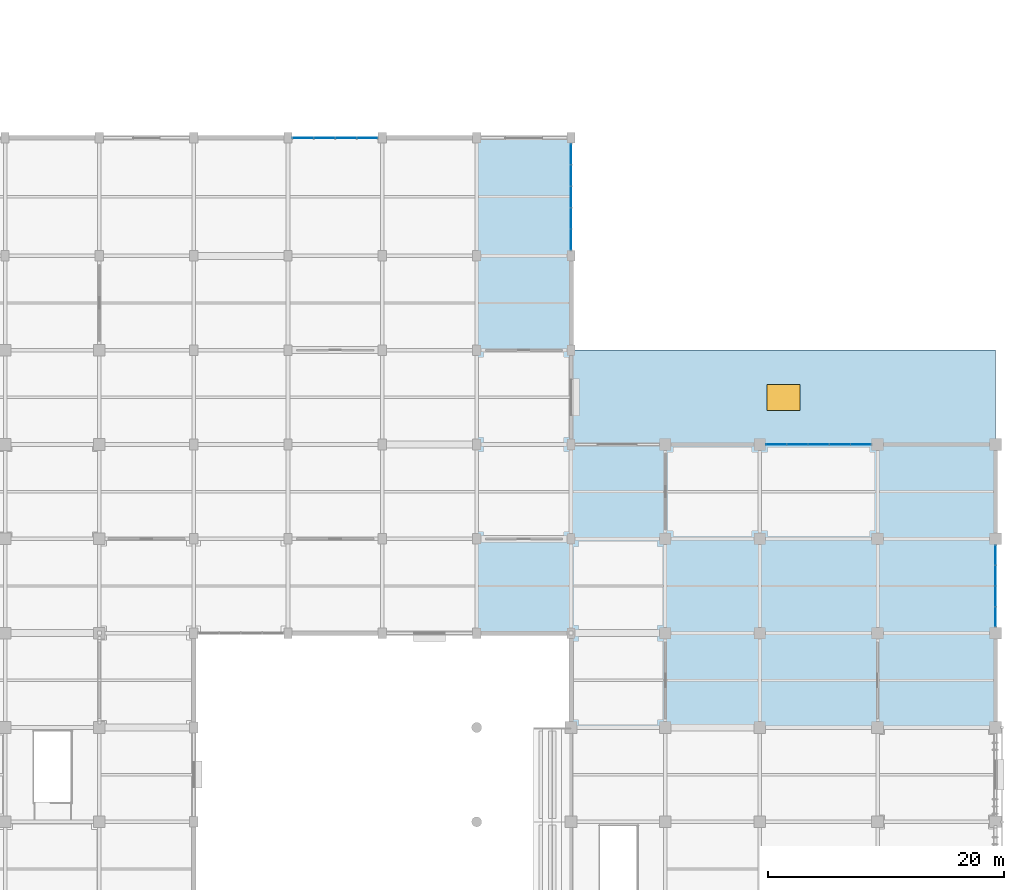
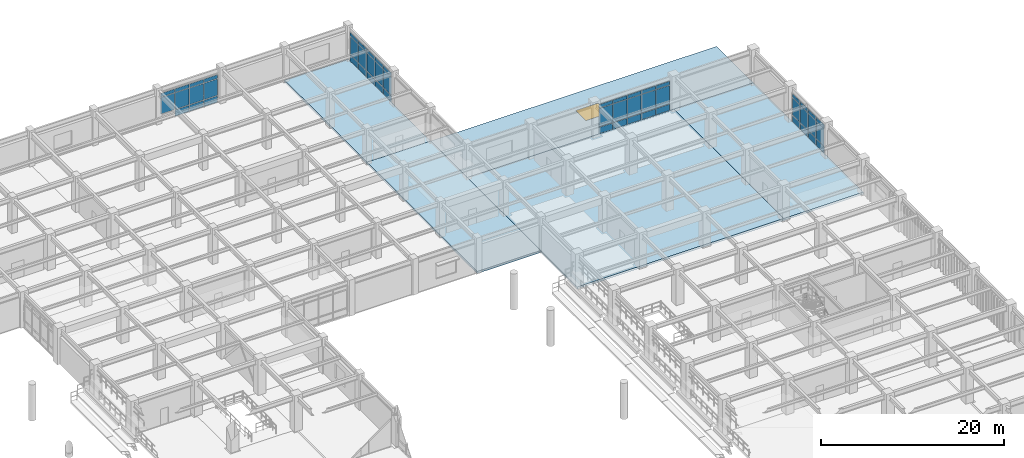
# One storey, part 69 of 117: 53 plates, 5 slabs, 1 window, 1 opening, 4 elements without a shape of their own.
"""IFC4 building model written with IfcOpenShell, lengths in metres."""

from ifc_helpers import new_model, si_unit, direction, frame, origin, origin_2d, place, context, subcontext, project, spatial, polyline, rectangle, outline, extrude, material, layer, layer_set, type_object, element, fill, aggregate, save


model = new_model("IFC4")

# Units and contexts
model_context = context("Model", 3, precision=1e-05, world=origin(), true_north=direction((0.0, 1.0)))
body_context = subcontext(model_context, "Body", "Model", "MODEL_VIEW")
ifc_project = project(units=[si_unit("LENGTHUNIT", "METRE"), si_unit("AREAUNIT", "SQUARE_METRE"), si_unit("VOLUMEUNIT", "CUBIC_METRE"), si_unit("PLANEANGLEUNIT", "RADIAN"), si_unit("MASSUNIT", "GRAM", prefix="KILO")], contexts=[model_context])

# Site, building, storey
site_placement = place(None, origin())
site = spatial("IfcSite", under=ifc_project, at=site_placement, CompositionType="ELEMENT")
building_placement = place(site_placement, origin())
building = spatial("IfcBuilding", under=site, at=building_placement, Name="Haebicheon Civic Stadium", CompositionType="ELEMENT")
storey_placement = place(building_placement, frame((0.0, 0.0, 4.800048828125)))
storey = spatial("IfcBuildingStorey", under=building, at=storey_placement, Name="L02", CompositionType="ELEMENT", Elevation=4.800048828125)

# Curtain wall, plates
ifc_material_1 = material(Name="Anodised aluminium and laminated glass", Category="aluminium")
ifc_layer_1 = layer(ifc_material_1, 0.179931640625, Name="Anodised aluminium and laminated glass")
ifc_layer_set_1 = layer_set([ifc_layer_1], Name="Anodised aluminium and laminated glass")
curtain_wall_type_1 = type_object("IfcCurtainWallType", Name="CW-7300x3710", PredefinedType="NOTDEFINED", material=ifc_layer_set_1)
curtain_wall_1_placement = place(storey_placement, origin())
curtain_wall_1 = element("IfcCurtainWall", 1, at=curtain_wall_1_placement, inside=storey, type_object=curtain_wall_type_1, material=ifc_layer_set_1, Name="L02 unitised curtain wall 059", PredefinedType="NOTDEFINED")
ifc_material_2 = material(Name="Double low-e laminated glass", Category="glass")
ifc_layer_2 = layer(ifc_material_2, 0.028076171875, Name="Double low-e laminated glass")
ifc_layer_set_2 = layer_set([ifc_layer_2], Name="Double low-e laminated glass")
plate_type_1 = type_object("IfcPlateType", Name="CWP-GLZ-28", PredefinedType="CURTAIN_PANEL", material=ifc_layer_set_2)
plate_1_placement = place(storey_placement, frame((177.280029296875, 178.0, 0.93505859375), z_axis=(0.0, 0.0, 1.0), x_axis=(1.0, 0.0, 0.0)))
plate_1 = element("IfcPlate", 2, at=plate_1_placement, type_object=plate_type_1, material=ifc_layer_set_2, Name="CW-L02-059 vision panel 1.2", PredefinedType="CURTAIN_PANEL", context=body_context, shape_type="SweptSolid", body=[
    extrude(rectangle(XDim=1.719970703125, YDim=0.028076171875, at=origin_2d()), origin(), (0.0, 0.0, 1.0), 2.18994140625),
])
plate_2_placement = place(storey_placement, frame((179.087890625, 178.0, 0.93505859375), z_axis=(0.0, 0.0, 1.0), x_axis=(1.0, 0.0, 0.0)))
plate_2 = element("IfcPlate", 3, at=plate_2_placement, type_object=plate_type_1, material=ifc_layer_set_2, Name="CW-L02-059 vision panel 2.2", PredefinedType="CURTAIN_PANEL", context=body_context, shape_type="SweptSolid", body=[
    extrude(rectangle(XDim=1.7548828125, YDim=0.028076171875, at=origin_2d()), origin(), (0.0, 0.0, 1.0), 2.18994140625),
])
plate_3_placement = place(storey_placement, frame((180.912109375, 178.0, 0.93505859375), z_axis=(0.0, 0.0, 1.0), x_axis=(1.0, 0.0, 0.0)))
plate_3 = element("IfcPlate", 4, at=plate_3_placement, type_object=plate_type_1, material=ifc_layer_set_2, Name="CW-L02-059 vision panel 3.2", PredefinedType="CURTAIN_PANEL", context=body_context, shape_type="SweptSolid", body=[
    extrude(rectangle(XDim=1.7548828125, YDim=0.028076171875, at=origin_2d()), origin(), (0.0, 0.0, 1.0), 2.18994140625),
])
plate_4_placement = place(storey_placement, frame((182.719970703125, 178.0, 0.93505859375), z_axis=(0.0, 0.0, 1.0), x_axis=(1.0, 0.0, 0.0)))
plate_4 = element("IfcPlate", 5, at=plate_4_placement, type_object=plate_type_1, material=ifc_layer_set_2, Name="CW-L02-059 vision panel 4.2", PredefinedType="CURTAIN_PANEL", context=body_context, shape_type="SweptSolid", body=[
    extrude(rectangle(XDim=1.719970703125, YDim=0.028076171875, at=origin_2d()), origin(), (0.0, 0.0, 1.0), 2.18994140625),
])

ifc_material_3 = material(Name="Anodised aluminium and laminated glass", Category="aluminium")
ifc_layer_3 = layer(ifc_material_3, 0.179931640625, Name="Anodised aluminium and laminated glass")
ifc_layer_set_3 = layer_set([ifc_layer_3], Name="Anodised aluminium and laminated glass")
curtain_wall_type_2 = type_object("IfcCurtainWallType", Name="CW-9100x3910", PredefinedType="NOTDEFINED", material=ifc_layer_set_3)
curtain_wall_2_placement = place(storey_placement, origin())
curtain_wall_2 = element("IfcCurtainWall", 6, at=curtain_wall_2_placement, inside=storey, type_object=curtain_wall_type_2, material=ifc_layer_set_3, Name="L02 unitised curtain wall 062", PredefinedType="NOTDEFINED")
plate_5_placement = place(storey_placement, frame((200.0, 169.3779296875, 0.93505859375), z_axis=(0.0, 0.0, 1.0), x_axis=(0.0, 1.0, 0.0)))
plate_5 = element("IfcPlate", 7, at=plate_5_placement, type_object=plate_type_1, material=ifc_layer_set_2, Name="CW-L02-062 vision panel 1.2", PredefinedType="CURTAIN_PANEL", context=body_context, shape_type="SweptSolid", body=[
    extrude(rectangle(XDim=1.715087890625, YDim=0.028076171875, at=origin_2d()), origin(), (0.0, 0.0, 1.0), 2.389892578125),
])
plate_6_placement = place(storey_placement, frame((200.0, 171.179931640625, 0.93505859375), z_axis=(0.0, 0.0, 1.0), x_axis=(0.0, 1.0, 0.0)))
plate_6 = element("IfcPlate", 8, at=plate_6_placement, type_object=plate_type_1, material=ifc_layer_set_2, Name="CW-L02-062 vision panel 2.2", PredefinedType="CURTAIN_PANEL", context=body_context, shape_type="SweptSolid", body=[
    extrude(rectangle(XDim=1.75, YDim=0.028076171875, at=origin_2d()), origin(), (0.0, 0.0, 1.0), 2.389892578125),
])
plate_7_placement = place(storey_placement, frame((200.0, 173.0, 0.93505859375), z_axis=(0.0, 0.0, 1.0), x_axis=(0.0, 1.0, 0.0)))
plate_7 = element("IfcPlate", 9, at=plate_7_placement, type_object=plate_type_1, material=ifc_layer_set_2, Name="CW-L02-062 vision panel 3.2", PredefinedType="CURTAIN_PANEL", context=body_context, shape_type="SweptSolid", body=[
    extrude(rectangle(XDim=1.75, YDim=0.028076171875, at=origin_2d()), origin(), (0.0, 0.0, 1.0), 2.389892578125),
])
plate_8_placement = place(storey_placement, frame((200.0, 174.820068359375, 0.93505859375), z_axis=(0.0, 0.0, 1.0), x_axis=(0.0, 1.0, 0.0)))
plate_8 = element("IfcPlate", 10, at=plate_8_placement, type_object=plate_type_1, material=ifc_layer_set_2, Name="CW-L02-062 vision panel 4.2", PredefinedType="CURTAIN_PANEL", context=body_context, shape_type="SweptSolid", body=[
    extrude(rectangle(XDim=1.75, YDim=0.028076171875, at=origin_2d()), origin(), (0.0, 0.0, 1.0), 2.389892578125),
])
plate_9_placement = place(storey_placement, frame((200.0, 176.6220703125, 0.93505859375), z_axis=(0.0, 0.0, 1.0), x_axis=(0.0, 1.0, 0.0)))
plate_9 = element("IfcPlate", 11, at=plate_9_placement, type_object=plate_type_1, material=ifc_layer_set_2, Name="CW-L02-062 vision panel 5.2", PredefinedType="CURTAIN_PANEL", context=body_context, shape_type="SweptSolid", body=[
    extrude(rectangle(XDim=1.715087890625, YDim=0.028076171875, at=origin_2d()), origin(), (0.0, 0.0, 1.0), 2.389892578125),
])

ifc_material_4 = material(Name="Anodised aluminium and laminated glass", Category="aluminium")
ifc_layer_4 = layer(ifc_material_4, 0.179931640625, Name="Anodised aluminium and laminated glass")
ifc_layer_set_4 = layer_set([ifc_layer_4], Name="Anodised aluminium and laminated glass")
curtain_wall_type_3 = type_object("IfcCurtainWallType", Name="CW-9000x3950", PredefinedType="NOTDEFINED", material=ifc_layer_set_4)
curtain_wall_3_placement = place(storey_placement, origin())
curtain_wall_3 = element("IfcCurtainWall", 12, at=curtain_wall_3_placement, inside=storey, type_object=curtain_wall_type_3, material=ifc_layer_set_4, Name="L02 unitised curtain wall 063", PredefinedType="NOTDEFINED")
plate_10_placement = place(storey_placement, frame((217.41796875, 152.0, 0.93505859375), z_axis=(0.0, 0.0, 1.0), x_axis=(1.0, 0.0, 0.0)))
plate_10 = element("IfcPlate", 13, at=plate_10_placement, type_object=plate_type_1, material=ifc_layer_set_2, Name="CW-L02-063 vision panel 1.2", PredefinedType="CURTAIN_PANEL", context=body_context, shape_type="SweptSolid", body=[
    extrude(rectangle(XDim=1.695068359375, YDim=0.028076171875, at=origin_2d()), origin(), (0.0, 0.0, 1.0), 2.429931640625),
])
plate_11_placement = place(storey_placement, frame((219.199951171875, 152.0, 0.93505859375), z_axis=(0.0, 0.0, 1.0), x_axis=(1.0, 0.0, 0.0)))
plate_11 = element("IfcPlate", 14, at=plate_11_placement, type_object=plate_type_1, material=ifc_layer_set_2, Name="CW-L02-063 vision panel 2.2", PredefinedType="CURTAIN_PANEL", context=body_context, shape_type="SweptSolid", body=[
    extrude(rectangle(XDim=1.72998046875, YDim=0.028076171875, at=origin_2d()), origin(), (0.0, 0.0, 1.0), 2.429931640625),
])
plate_12_placement = place(storey_placement, frame((221.0, 152.0, 0.93505859375), z_axis=(0.0, 0.0, 1.0), x_axis=(1.0, 0.0, 0.0)))
plate_12 = element("IfcPlate", 15, at=plate_12_placement, type_object=plate_type_1, material=ifc_layer_set_2, Name="CW-L02-063 vision panel 3.2", PredefinedType="CURTAIN_PANEL", context=body_context, shape_type="SweptSolid", body=[
    extrude(rectangle(XDim=1.72998046875, YDim=0.028076171875, at=origin_2d()), origin(), (0.0, 0.0, 1.0), 2.429931640625),
])
plate_13_placement = place(storey_placement, frame((222.800048828125, 152.0, 0.93505859375), z_axis=(0.0, 0.0, 1.0), x_axis=(1.0, 0.0, 0.0)))
plate_13 = element("IfcPlate", 16, at=plate_13_placement, type_object=plate_type_1, material=ifc_layer_set_2, Name="CW-L02-063 vision panel 4.2", PredefinedType="CURTAIN_PANEL", context=body_context, shape_type="SweptSolid", body=[
    extrude(rectangle(XDim=1.72998046875, YDim=0.028076171875, at=origin_2d()), origin(), (0.0, 0.0, 1.0), 2.429931640625),
])
plate_14_placement = place(storey_placement, frame((224.58203125, 152.0, 0.93505859375), z_axis=(0.0, 0.0, 1.0), x_axis=(1.0, 0.0, 0.0)))
plate_14 = element("IfcPlate", 17, at=plate_14_placement, type_object=plate_type_1, material=ifc_layer_set_2, Name="CW-L02-063 vision panel 5.2", PredefinedType="CURTAIN_PANEL", context=body_context, shape_type="SweptSolid", body=[
    extrude(rectangle(XDim=1.695068359375, YDim=0.028076171875, at=origin_2d()), origin(), (0.0, 0.0, 1.0), 2.429931640625),
])

ifc_material_5 = material(Name="Anodised aluminium and laminated glass", Category="aluminium")
ifc_layer_5 = layer(ifc_material_5, 0.179931640625, Name="Anodised aluminium and laminated glass")
ifc_layer_set_5 = layer_set([ifc_layer_5], Name="Anodised aluminium and laminated glass")
curtain_wall_type_4 = type_object("IfcCurtainWallType", Name="CW-7000x3810", PredefinedType="NOTDEFINED", material=ifc_layer_set_5)
curtain_wall_4_placement = place(storey_placement, origin())
curtain_wall_4 = element("IfcCurtainWall", 18, at=curtain_wall_4_placement, inside=storey, type_object=curtain_wall_type_4, material=ifc_layer_set_5, Name="L02 unitised curtain wall 068", PredefinedType="NOTDEFINED")
plate_15_placement = place(storey_placement, frame((236.0, 137.39208984375, 0.934814453125), z_axis=(0.0, 0.0, 1.0), x_axis=(0.0, 1.0, 0.0)))
plate_15 = element("IfcPlate", 19, at=plate_15_placement, type_object=plate_type_1, material=ifc_layer_set_2, Name="CW-L02-068 vision panel 1.2", PredefinedType="CURTAIN_PANEL", context=body_context, shape_type="SweptSolid", body=[
    extrude(rectangle(XDim=1.64501953125, YDim=0.028076171875, at=origin_2d()), origin(), (0.0, 0.0, 1.0), 2.2900390625),
])
plate_16_placement = place(storey_placement, frame((236.0, 139.125, 0.934814453125), z_axis=(0.0, 0.0, 1.0), x_axis=(0.0, 1.0, 0.0)))
plate_16 = element("IfcPlate", 20, at=plate_16_placement, type_object=plate_type_1, material=ifc_layer_set_2, Name="CW-L02-068 vision panel 2.2", PredefinedType="CURTAIN_PANEL", context=body_context, shape_type="SweptSolid", body=[
    extrude(rectangle(XDim=1.679931640625, YDim=0.028076171875, at=origin_2d()), origin(), (0.0, 0.0, 1.0), 2.2900390625),
])
plate_17_placement = place(storey_placement, frame((236.0, 140.875, 0.934814453125), z_axis=(0.0, 0.0, 1.0), x_axis=(0.0, 1.0, 0.0)))
plate_17 = element("IfcPlate", 21, at=plate_17_placement, type_object=plate_type_1, material=ifc_layer_set_2, Name="CW-L02-068 vision panel 3.2", PredefinedType="CURTAIN_PANEL", context=body_context, shape_type="SweptSolid", body=[
    extrude(rectangle(XDim=1.679931640625, YDim=0.028076171875, at=origin_2d()), origin(), (0.0, 0.0, 1.0), 2.2900390625),
])
plate_18_placement = place(storey_placement, frame((236.0, 142.60791015625, 0.934814453125), z_axis=(0.0, 0.0, 1.0), x_axis=(0.0, 1.0, 0.0)))
plate_18 = element("IfcPlate", 22, at=plate_18_placement, type_object=plate_type_1, material=ifc_layer_set_2, Name="CW-L02-068 vision panel 4.2", PredefinedType="CURTAIN_PANEL", context=body_context, shape_type="SweptSolid", body=[
    extrude(rectangle(XDim=1.64501953125, YDim=0.028076171875, at=origin_2d()), origin(), (0.0, 0.0, 1.0), 2.2900390625),
])

# Plate
ifc_material_6 = material(Name="Anodised aluminium 6063-T6", Category="aluminium")
ifc_layer_6 = layer(ifc_material_6, 0.053955078125, Name="Anodised aluminium 6063-T6")
ifc_layer_set_6 = layer_set([ifc_layer_6], Name="Anodised aluminium 6063-T6")
plate_type_2 = type_object("IfcPlateType", Name="CWP-SPD-54", PredefinedType="CURTAIN_PANEL", material=ifc_layer_set_6)
plate_19_placement = place(storey_placement, frame((177.280029296875, 178.0, 3.195068359375), z_axis=(0.0, 0.0, 1.0), x_axis=(1.0, 0.0, 0.0)))
plate_19 = element("IfcPlate", 23, at=plate_19_placement, type_object=plate_type_2, material=ifc_layer_set_6, Name="CW-L02-059 spandrel panel 1.3", PredefinedType="CURTAIN_PANEL", context=body_context, shape_type="SweptSolid", body=[
    extrude(rectangle(XDim=1.719970703125, YDim=0.053955078125, at=origin_2d()), origin(), (0.0, 0.0, 1.0), 0.47998046875),
])

plate_20_placement = place(storey_placement, frame((179.087890625, 178.0, 0.034912109375), z_axis=(0.0, 0.0, 1.0), x_axis=(1.0, 0.0, 0.0)))
plate_20 = element("IfcPlate", 24, at=plate_20_placement, type_object=plate_type_2, material=ifc_layer_set_6, Name="CW-L02-059 spandrel panel 2.1", PredefinedType="CURTAIN_PANEL", context=body_context, shape_type="SweptSolid", body=[
    extrude(rectangle(XDim=1.7548828125, YDim=0.053955078125, at=origin_2d()), origin(), (0.0, 0.0, 1.0), 0.830078125),
])

plate_21_placement = place(storey_placement, frame((179.087890625, 178.0, 3.195068359375), z_axis=(0.0, 0.0, 1.0), x_axis=(1.0, 0.0, 0.0)))
plate_21 = element("IfcPlate", 25, at=plate_21_placement, type_object=plate_type_2, material=ifc_layer_set_6, Name="CW-L02-059 spandrel panel 2.3", PredefinedType="CURTAIN_PANEL", context=body_context, shape_type="SweptSolid", body=[
    extrude(rectangle(XDim=1.7548828125, YDim=0.053955078125, at=origin_2d()), origin(), (0.0, 0.0, 1.0), 0.47998046875),
])

plate_22_placement = place(storey_placement, frame((180.912109375, 178.0, 0.034912109375), z_axis=(0.0, 0.0, 1.0), x_axis=(1.0, 0.0, 0.0)))
plate_22 = element("IfcPlate", 26, at=plate_22_placement, type_object=plate_type_2, material=ifc_layer_set_6, Name="CW-L02-059 spandrel panel 3.1", PredefinedType="CURTAIN_PANEL", context=body_context, shape_type="SweptSolid", body=[
    extrude(rectangle(XDim=1.7548828125, YDim=0.053955078125, at=origin_2d()), origin(), (0.0, 0.0, 1.0), 0.830078125),
])

plate_23_placement = place(storey_placement, frame((180.912109375, 178.0, 3.195068359375), z_axis=(0.0, 0.0, 1.0), x_axis=(1.0, 0.0, 0.0)))
plate_23 = element("IfcPlate", 27, at=plate_23_placement, type_object=plate_type_2, material=ifc_layer_set_6, Name="CW-L02-059 spandrel panel 3.3", PredefinedType="CURTAIN_PANEL", context=body_context, shape_type="SweptSolid", body=[
    extrude(rectangle(XDim=1.7548828125, YDim=0.053955078125, at=origin_2d()), origin(), (0.0, 0.0, 1.0), 0.47998046875),
])

plate_24_placement = place(storey_placement, frame((182.719970703125, 178.0, 0.034912109375), z_axis=(0.0, 0.0, 1.0), x_axis=(1.0, 0.0, 0.0)))
plate_24 = element("IfcPlate", 28, at=plate_24_placement, type_object=plate_type_2, material=ifc_layer_set_6, Name="CW-L02-059 spandrel panel 4.1", PredefinedType="CURTAIN_PANEL", context=body_context, shape_type="SweptSolid", body=[
    extrude(rectangle(XDim=1.719970703125, YDim=0.053955078125, at=origin_2d()), origin(), (0.0, 0.0, 1.0), 0.830078125),
])

plate_25_placement = place(storey_placement, frame((182.719970703125, 178.0, 3.195068359375), z_axis=(0.0, 0.0, 1.0), x_axis=(1.0, 0.0, 0.0)))
plate_25 = element("IfcPlate", 29, at=plate_25_placement, type_object=plate_type_2, material=ifc_layer_set_6, Name="CW-L02-059 spandrel panel 4.3", PredefinedType="CURTAIN_PANEL", context=body_context, shape_type="SweptSolid", body=[
    extrude(rectangle(XDim=1.719970703125, YDim=0.053955078125, at=origin_2d()), origin(), (0.0, 0.0, 1.0), 0.47998046875),
])

aggregate(curtain_wall_1, [plate_1, plate_19, plate_20, plate_2, plate_21, plate_22, plate_3, plate_23, plate_24, plate_4, plate_25])

plate_26_placement = place(storey_placement, frame((200.0, 169.3779296875, 0.034912109375), z_axis=(0.0, 0.0, 1.0), x_axis=(0.0, 1.0, 0.0)))
plate_26 = element("IfcPlate", 30, at=plate_26_placement, type_object=plate_type_2, material=ifc_layer_set_6, Name="CW-L02-062 spandrel panel 1.1", PredefinedType="CURTAIN_PANEL", context=body_context, shape_type="SweptSolid", body=[
    extrude(rectangle(XDim=1.715087890625, YDim=0.053955078125, at=origin_2d()), origin(), (0.0, 0.0, 1.0), 0.830078125),
])

plate_27_placement = place(storey_placement, frame((200.0, 169.3779296875, 3.39501953125), z_axis=(0.0, 0.0, 1.0), x_axis=(0.0, 1.0, 0.0)))
plate_27 = element("IfcPlate", 31, at=plate_27_placement, type_object=plate_type_2, material=ifc_layer_set_6, Name="CW-L02-062 spandrel panel 1.3", PredefinedType="CURTAIN_PANEL", context=body_context, shape_type="SweptSolid", body=[
    extrude(rectangle(XDim=1.715087890625, YDim=0.053955078125, at=origin_2d()), origin(), (0.0, 0.0, 1.0), 0.47998046875),
])

plate_28_placement = place(storey_placement, frame((200.0, 171.179931640625, 0.034912109375), z_axis=(0.0, 0.0, 1.0), x_axis=(0.0, 1.0, 0.0)))
plate_28 = element("IfcPlate", 32, at=plate_28_placement, type_object=plate_type_2, material=ifc_layer_set_6, Name="CW-L02-062 spandrel panel 2.1", PredefinedType="CURTAIN_PANEL", context=body_context, shape_type="SweptSolid", body=[
    extrude(rectangle(XDim=1.75, YDim=0.053955078125, at=origin_2d()), origin(), (0.0, 0.0, 1.0), 0.830078125),
])

plate_29_placement = place(storey_placement, frame((200.0, 171.179931640625, 3.39501953125), z_axis=(0.0, 0.0, 1.0), x_axis=(0.0, 1.0, 0.0)))
plate_29 = element("IfcPlate", 33, at=plate_29_placement, type_object=plate_type_2, material=ifc_layer_set_6, Name="CW-L02-062 spandrel panel 2.3", PredefinedType="CURTAIN_PANEL", context=body_context, shape_type="SweptSolid", body=[
    extrude(rectangle(XDim=1.75, YDim=0.053955078125, at=origin_2d()), origin(), (0.0, 0.0, 1.0), 0.47998046875),
])

plate_30_placement = place(storey_placement, frame((200.0, 173.0, 0.034912109375), z_axis=(0.0, 0.0, 1.0), x_axis=(0.0, 1.0, 0.0)))
plate_30 = element("IfcPlate", 34, at=plate_30_placement, type_object=plate_type_2, material=ifc_layer_set_6, Name="CW-L02-062 spandrel panel 3.1", PredefinedType="CURTAIN_PANEL", context=body_context, shape_type="SweptSolid", body=[
    extrude(rectangle(XDim=1.75, YDim=0.053955078125, at=origin_2d()), origin(), (0.0, 0.0, 1.0), 0.830078125),
])

plate_31_placement = place(storey_placement, frame((200.0, 173.0, 3.39501953125), z_axis=(0.0, 0.0, 1.0), x_axis=(0.0, 1.0, 0.0)))
plate_31 = element("IfcPlate", 35, at=plate_31_placement, type_object=plate_type_2, material=ifc_layer_set_6, Name="CW-L02-062 spandrel panel 3.3", PredefinedType="CURTAIN_PANEL", context=body_context, shape_type="SweptSolid", body=[
    extrude(rectangle(XDim=1.75, YDim=0.053955078125, at=origin_2d()), origin(), (0.0, 0.0, 1.0), 0.47998046875),
])

plate_32_placement = place(storey_placement, frame((200.0, 174.820068359375, 0.034912109375), z_axis=(0.0, 0.0, 1.0), x_axis=(0.0, 1.0, 0.0)))
plate_32 = element("IfcPlate", 36, at=plate_32_placement, type_object=plate_type_2, material=ifc_layer_set_6, Name="CW-L02-062 spandrel panel 4.1", PredefinedType="CURTAIN_PANEL", context=body_context, shape_type="SweptSolid", body=[
    extrude(rectangle(XDim=1.75, YDim=0.053955078125, at=origin_2d()), origin(), (0.0, 0.0, 1.0), 0.830078125),
])

plate_33_placement = place(storey_placement, frame((200.0, 174.820068359375, 3.39501953125), z_axis=(0.0, 0.0, 1.0), x_axis=(0.0, 1.0, 0.0)))
plate_33 = element("IfcPlate", 37, at=plate_33_placement, type_object=plate_type_2, material=ifc_layer_set_6, Name="CW-L02-062 spandrel panel 4.3", PredefinedType="CURTAIN_PANEL", context=body_context, shape_type="SweptSolid", body=[
    extrude(rectangle(XDim=1.75, YDim=0.053955078125, at=origin_2d()), origin(), (0.0, 0.0, 1.0), 0.47998046875),
])

plate_34_placement = place(storey_placement, frame((200.0, 176.6220703125, 0.034912109375), z_axis=(0.0, 0.0, 1.0), x_axis=(0.0, 1.0, 0.0)))
plate_34 = element("IfcPlate", 38, at=plate_34_placement, type_object=plate_type_2, material=ifc_layer_set_6, Name="CW-L02-062 spandrel panel 5.1", PredefinedType="CURTAIN_PANEL", context=body_context, shape_type="SweptSolid", body=[
    extrude(rectangle(XDim=1.715087890625, YDim=0.053955078125, at=origin_2d()), origin(), (0.0, 0.0, 1.0), 0.830078125),
])

plate_35_placement = place(storey_placement, frame((200.0, 176.6220703125, 3.39501953125), z_axis=(0.0, 0.0, 1.0), x_axis=(0.0, 1.0, 0.0)))
plate_35 = element("IfcPlate", 39, at=plate_35_placement, type_object=plate_type_2, material=ifc_layer_set_6, Name="CW-L02-062 spandrel panel 5.3", PredefinedType="CURTAIN_PANEL", context=body_context, shape_type="SweptSolid", body=[
    extrude(rectangle(XDim=1.715087890625, YDim=0.053955078125, at=origin_2d()), origin(), (0.0, 0.0, 1.0), 0.47998046875),
])

aggregate(curtain_wall_2, [plate_26, plate_5, plate_27, plate_28, plate_6, plate_29, plate_30, plate_7, plate_31, plate_32, plate_8, plate_33, plate_34, plate_9, plate_35])

plate_36_placement = place(storey_placement, frame((217.41796875, 152.0, 0.034912109375), z_axis=(0.0, 0.0, 1.0), x_axis=(1.0, 0.0, 0.0)))
plate_36 = element("IfcPlate", 40, at=plate_36_placement, type_object=plate_type_2, material=ifc_layer_set_6, Name="CW-L02-063 spandrel panel 1.1", PredefinedType="CURTAIN_PANEL", context=body_context, shape_type="SweptSolid", body=[
    extrude(rectangle(XDim=1.695068359375, YDim=0.053955078125, at=origin_2d()), origin(), (0.0, 0.0, 1.0), 0.830078125),
])

plate_37_placement = place(storey_placement, frame((217.41796875, 152.0, 3.43505859375), z_axis=(0.0, 0.0, 1.0), x_axis=(1.0, 0.0, 0.0)))
plate_37 = element("IfcPlate", 41, at=plate_37_placement, type_object=plate_type_2, material=ifc_layer_set_6, Name="CW-L02-063 spandrel panel 1.3", PredefinedType="CURTAIN_PANEL", context=body_context, shape_type="SweptSolid", body=[
    extrude(rectangle(XDim=1.695068359375, YDim=0.053955078125, at=origin_2d()), origin(), (0.0, 0.0, 1.0), 0.47998046875),
])

plate_38_placement = place(storey_placement, frame((219.199951171875, 152.0, 0.034912109375), z_axis=(0.0, 0.0, 1.0), x_axis=(1.0, 0.0, 0.0)))
plate_38 = element("IfcPlate", 42, at=plate_38_placement, type_object=plate_type_2, material=ifc_layer_set_6, Name="CW-L02-063 spandrel panel 2.1", PredefinedType="CURTAIN_PANEL", context=body_context, shape_type="SweptSolid", body=[
    extrude(rectangle(XDim=1.72998046875, YDim=0.053955078125, at=origin_2d()), origin(), (0.0, 0.0, 1.0), 0.830078125),
])

plate_39_placement = place(storey_placement, frame((219.199951171875, 152.0, 3.43505859375), z_axis=(0.0, 0.0, 1.0), x_axis=(1.0, 0.0, 0.0)))
plate_39 = element("IfcPlate", 43, at=plate_39_placement, type_object=plate_type_2, material=ifc_layer_set_6, Name="CW-L02-063 spandrel panel 2.3", PredefinedType="CURTAIN_PANEL", context=body_context, shape_type="SweptSolid", body=[
    extrude(rectangle(XDim=1.72998046875, YDim=0.053955078125, at=origin_2d()), origin(), (0.0, 0.0, 1.0), 0.47998046875),
])

plate_40_placement = place(storey_placement, frame((221.0, 152.0, 0.034912109375), z_axis=(0.0, 0.0, 1.0), x_axis=(1.0, 0.0, 0.0)))
plate_40 = element("IfcPlate", 44, at=plate_40_placement, type_object=plate_type_2, material=ifc_layer_set_6, Name="CW-L02-063 spandrel panel 3.1", PredefinedType="CURTAIN_PANEL", context=body_context, shape_type="SweptSolid", body=[
    extrude(rectangle(XDim=1.72998046875, YDim=0.053955078125, at=origin_2d()), origin(), (0.0, 0.0, 1.0), 0.830078125),
])

plate_41_placement = place(storey_placement, frame((221.0, 152.0, 3.43505859375), z_axis=(0.0, 0.0, 1.0), x_axis=(1.0, 0.0, 0.0)))
plate_41 = element("IfcPlate", 45, at=plate_41_placement, type_object=plate_type_2, material=ifc_layer_set_6, Name="CW-L02-063 spandrel panel 3.3", PredefinedType="CURTAIN_PANEL", context=body_context, shape_type="SweptSolid", body=[
    extrude(rectangle(XDim=1.72998046875, YDim=0.053955078125, at=origin_2d()), origin(), (0.0, 0.0, 1.0), 0.47998046875),
])

plate_42_placement = place(storey_placement, frame((222.800048828125, 152.0, 0.034912109375), z_axis=(0.0, 0.0, 1.0), x_axis=(1.0, 0.0, 0.0)))
plate_42 = element("IfcPlate", 46, at=plate_42_placement, type_object=plate_type_2, material=ifc_layer_set_6, Name="CW-L02-063 spandrel panel 4.1", PredefinedType="CURTAIN_PANEL", context=body_context, shape_type="SweptSolid", body=[
    extrude(rectangle(XDim=1.72998046875, YDim=0.053955078125, at=origin_2d()), origin(), (0.0, 0.0, 1.0), 0.830078125),
])

plate_43_placement = place(storey_placement, frame((222.800048828125, 152.0, 3.43505859375), z_axis=(0.0, 0.0, 1.0), x_axis=(1.0, 0.0, 0.0)))
plate_43 = element("IfcPlate", 47, at=plate_43_placement, type_object=plate_type_2, material=ifc_layer_set_6, Name="CW-L02-063 spandrel panel 4.3", PredefinedType="CURTAIN_PANEL", context=body_context, shape_type="SweptSolid", body=[
    extrude(rectangle(XDim=1.72998046875, YDim=0.053955078125, at=origin_2d()), origin(), (0.0, 0.0, 1.0), 0.47998046875),
])

plate_44_placement = place(storey_placement, frame((224.58203125, 152.0, 0.034912109375), z_axis=(0.0, 0.0, 1.0), x_axis=(1.0, 0.0, 0.0)))
plate_44 = element("IfcPlate", 48, at=plate_44_placement, type_object=plate_type_2, material=ifc_layer_set_6, Name="CW-L02-063 spandrel panel 5.1", PredefinedType="CURTAIN_PANEL", context=body_context, shape_type="SweptSolid", body=[
    extrude(rectangle(XDim=1.695068359375, YDim=0.053955078125, at=origin_2d()), origin(), (0.0, 0.0, 1.0), 0.830078125),
])

plate_45_placement = place(storey_placement, frame((224.58203125, 152.0, 3.43505859375), z_axis=(0.0, 0.0, 1.0), x_axis=(1.0, 0.0, 0.0)))
plate_45 = element("IfcPlate", 49, at=plate_45_placement, type_object=plate_type_2, material=ifc_layer_set_6, Name="CW-L02-063 spandrel panel 5.3", PredefinedType="CURTAIN_PANEL", context=body_context, shape_type="SweptSolid", body=[
    extrude(rectangle(XDim=1.695068359375, YDim=0.053955078125, at=origin_2d()), origin(), (0.0, 0.0, 1.0), 0.47998046875),
])

aggregate(curtain_wall_3, [plate_36, plate_10, plate_37, plate_38, plate_11, plate_39, plate_40, plate_12, plate_41, plate_42, plate_13, plate_43, plate_44, plate_14, plate_45])

plate_46_placement = place(storey_placement, frame((236.0, 137.39208984375, 0.034912109375), z_axis=(0.0, 0.0, 1.0), x_axis=(0.0, 1.0, 0.0)))
plate_46 = element("IfcPlate", 50, at=plate_46_placement, type_object=plate_type_2, material=ifc_layer_set_6, Name="CW-L02-068 spandrel panel 1.1", PredefinedType="CURTAIN_PANEL", context=body_context, shape_type="SweptSolid", body=[
    extrude(rectangle(XDim=1.64501953125, YDim=0.053955078125, at=origin_2d()), origin(), (0.0, 0.0, 1.0), 0.830078125),
])

plate_47_placement = place(storey_placement, frame((236.0, 137.39208984375, 3.294921875), z_axis=(0.0, 0.0, 1.0), x_axis=(0.0, 1.0, 0.0)))
plate_47 = element("IfcPlate", 51, at=plate_47_placement, type_object=plate_type_2, material=ifc_layer_set_6, Name="CW-L02-068 spandrel panel 1.3", PredefinedType="CURTAIN_PANEL", context=body_context, shape_type="SweptSolid", body=[
    extrude(rectangle(XDim=1.64501953125, YDim=0.053955078125, at=origin_2d()), origin(), (0.0, 0.0, 1.0), 0.47998046875),
])

plate_48_placement = place(storey_placement, frame((236.0, 139.125, 0.034912109375), z_axis=(0.0, 0.0, 1.0), x_axis=(0.0, 1.0, 0.0)))
plate_48 = element("IfcPlate", 52, at=plate_48_placement, type_object=plate_type_2, material=ifc_layer_set_6, Name="CW-L02-068 spandrel panel 2.1", PredefinedType="CURTAIN_PANEL", context=body_context, shape_type="SweptSolid", body=[
    extrude(rectangle(XDim=1.679931640625, YDim=0.053955078125, at=origin_2d()), origin(), (0.0, 0.0, 1.0), 0.830078125),
])

plate_49_placement = place(storey_placement, frame((236.0, 139.125, 3.294921875), z_axis=(0.0, 0.0, 1.0), x_axis=(0.0, 1.0, 0.0)))
plate_49 = element("IfcPlate", 53, at=plate_49_placement, type_object=plate_type_2, material=ifc_layer_set_6, Name="CW-L02-068 spandrel panel 2.3", PredefinedType="CURTAIN_PANEL", context=body_context, shape_type="SweptSolid", body=[
    extrude(rectangle(XDim=1.679931640625, YDim=0.053955078125, at=origin_2d()), origin(), (0.0, 0.0, 1.0), 0.47998046875),
])

plate_50_placement = place(storey_placement, frame((236.0, 140.875, 0.034912109375), z_axis=(0.0, 0.0, 1.0), x_axis=(0.0, 1.0, 0.0)))
plate_50 = element("IfcPlate", 54, at=plate_50_placement, type_object=plate_type_2, material=ifc_layer_set_6, Name="CW-L02-068 spandrel panel 3.1", PredefinedType="CURTAIN_PANEL", context=body_context, shape_type="SweptSolid", body=[
    extrude(rectangle(XDim=1.679931640625, YDim=0.053955078125, at=origin_2d()), origin(), (0.0, 0.0, 1.0), 0.830078125),
])

plate_51_placement = place(storey_placement, frame((236.0, 140.875, 3.294921875), z_axis=(0.0, 0.0, 1.0), x_axis=(0.0, 1.0, 0.0)))
plate_51 = element("IfcPlate", 55, at=plate_51_placement, type_object=plate_type_2, material=ifc_layer_set_6, Name="CW-L02-068 spandrel panel 3.3", PredefinedType="CURTAIN_PANEL", context=body_context, shape_type="SweptSolid", body=[
    extrude(rectangle(XDim=1.679931640625, YDim=0.053955078125, at=origin_2d()), origin(), (0.0, 0.0, 1.0), 0.47998046875),
])

plate_52_placement = place(storey_placement, frame((236.0, 142.60791015625, 0.034912109375), z_axis=(0.0, 0.0, 1.0), x_axis=(0.0, 1.0, 0.0)))
plate_52 = element("IfcPlate", 56, at=plate_52_placement, type_object=plate_type_2, material=ifc_layer_set_6, Name="CW-L02-068 spandrel panel 4.1", PredefinedType="CURTAIN_PANEL", context=body_context, shape_type="SweptSolid", body=[
    extrude(rectangle(XDim=1.64501953125, YDim=0.053955078125, at=origin_2d()), origin(), (0.0, 0.0, 1.0), 0.830078125),
])

plate_53_placement = place(storey_placement, frame((236.0, 142.60791015625, 3.294921875), z_axis=(0.0, 0.0, 1.0), x_axis=(0.0, 1.0, 0.0)))
plate_53 = element("IfcPlate", 57, at=plate_53_placement, type_object=plate_type_2, material=ifc_layer_set_6, Name="CW-L02-068 spandrel panel 4.3", PredefinedType="CURTAIN_PANEL", context=body_context, shape_type="SweptSolid", body=[
    extrude(rectangle(XDim=1.64501953125, YDim=0.053955078125, at=origin_2d()), origin(), (0.0, 0.0, 1.0), 0.47998046875),
])

aggregate(curtain_wall_4, [plate_46, plate_15, plate_47, plate_48, plate_16, plate_49, plate_50, plate_17, plate_51, plate_52, plate_18, plate_53])

# Slabs
ifc_material_7 = material(Name="Concrete C40/50", Category="concrete")
ifc_layer_7 = layer(ifc_material_7, 0.280029296875, Name="Concrete C40/50")
ifc_layer_set_7 = layer_set([ifc_layer_7], Name="Concrete C40/50")
slab_type_1 = type_object("IfcSlabType", Name="SLB-FLR-280", PredefinedType="FLOOR", material=ifc_layer_set_7)
slab_1_placement = place(storey_placement, frame((0.0, 0.0, -0.280029296875)))
element("IfcSlab", 58, at=slab_1_placement, inside=storey, type_object=slab_type_1, material=ifc_layer_set_7, Name="L02 V3 structural slab 4.1", PredefinedType="FLOOR", context=body_context, shape_type="SweptSolid", body=[
    extrude(outline(polyline([(200.0, 144.0), (200.0, 152.0), (208.0, 152.0), (216.0, 152.0), (226.0, 152.0), (226.0, 144.0), (226.0, 136.0), (226.0, 128.0), (216.0, 128.0), (208.0, 128.0), (200.0, 128.0), (200.0, 136.0), (200.0, 144.0)])), origin(), (0.0, 0.0, 1.0), 0.280029296875),
])
slab_2_placement = place(storey_placement, frame((0.0, 0.0, -0.280029296875)))
element("IfcSlab", 59, at=slab_2_placement, inside=storey, type_object=slab_type_1, material=ifc_layer_set_7, Name="L02 V3 structural slab 8.1", PredefinedType="FLOOR", context=body_context, shape_type="SweptSolid", body=[
    extrude(outline(polyline([(236.0, 128.0), (226.0, 128.0), (226.0, 136.0), (226.0, 144.0), (226.0, 152.0), (236.0, 152.0), (236.0, 144.0), (236.0, 136.0), (236.0, 128.0)])), origin(), (0.0, 0.0, 1.0), 0.280029296875),
])
slab_3_placement = place(storey_placement, frame((0.0, 0.0, -0.280029296875)))
element("IfcSlab", 60, at=slab_3_placement, inside=storey, type_object=slab_type_1, material=ifc_layer_set_7, Name="L02 V4 structural slab 12.1", PredefinedType="FLOOR", context=body_context, shape_type="SweptSolid", body=[
    extrude(outline(polyline([(200.0, 136.0), (192.0, 136.0), (192.0, 144.0), (192.0, 152.0), (192.0, 160.0), (200.0, 160.0), (200.0, 152.0), (200.0, 144.0), (200.0, 136.0)])), origin(), (0.0, 0.0, 1.0), 0.280029296875),
])
slab_4_placement = place(storey_placement, frame((0.0, 0.0, -0.280029296875)))
element("IfcSlab", 61, at=slab_4_placement, inside=storey, type_object=slab_type_1, material=ifc_layer_set_7, Name="L02 V4 structural slab 13.1", PredefinedType="FLOOR", context=body_context, shape_type="SweptSolid", body=[
    extrude(outline(polyline([(200.0, 160.0), (192.0, 160.0), (192.0, 168.0), (192.0, 178.0), (200.0, 178.0), (200.0, 168.0), (200.0, 160.0)])), origin(), (0.0, 0.0, 1.0), 0.280029296875),
])

# Slab, opening, window
ifc_material_8 = material(Name="Concrete C40/50", Category="concrete")
ifc_layer_8 = layer(ifc_material_8, 0.18994140625, Name="Concrete C40/50")
ifc_layer_set_8 = layer_set([ifc_layer_8], Name="Concrete C40/50")
slab_type_2 = type_object("IfcSlabType", Name="SLB-ROOF-190", PredefinedType="ROOF", material=ifc_layer_set_8)
slab_5_placement = place(storey_placement, frame((0.0, 0.0, -0.18994140625)))
slab_5 = element("IfcSlab", 62, at=slab_5_placement, inside=storey, type_object=slab_type_2, material=ifc_layer_set_8, Name="L02 V3 roof deck slab 2", PredefinedType="ROOF", context=body_context, shape_type="SweptSolid", body=[
    extrude(outline(polyline([(200.0, 160.0), (236.0, 160.0), (236.0, 152.0), (200.0, 152.0), (200.0, 160.0)])), origin(), (0.0, 0.0, 1.0), 0.18994140625),
])
opening_placement = place(slab_5_placement, frame((218.0, 156.0, -0.010009765625)))
opening = element("IfcOpeningElement", 63, at=opening_placement, cuts=slab_5, Name="Opening SKY-280x220", PredefinedType="OPENING", context=body_context, shape_type="SweptSolid", body=[
    extrude(rectangle(XDim=2.800048828125, YDim=2.199951171875, at=origin_2d()), origin(), (0.0, 0.0, 1.0), 0.2099609375),
])
ifc_material_9 = material(Name="Anodised aluminium and laminated glass", Category="aluminium")
window_type = type_object("IfcWindowType", Name="SKY-280x220", PartitioningType="SINGLE_PANEL", PredefinedType="SKYLIGHT", material=ifc_material_9)
window_placement = place(slab_5_placement, frame((218.0, 156.0, 0.139892578125)))
window = element("IfcWindow", 64, at=window_placement, inside=storey, type_object=window_type, material=ifc_material_9, Name="L02 glazed roof skylight 05", OverallHeight=2.199951171875, OverallWidth=2.800048828125, PartitioningType="SINGLE_PANEL", PredefinedType="SKYLIGHT", context=body_context, shape_type="SweptSolid", body=[
    extrude(rectangle(XDim=2.800048828125, YDim=2.199951171875, at=origin_2d()), origin(), (0.0, 0.0, 1.0), 0.050048828125),
])
fill(opening, window)

save(model, "model.ifc")
